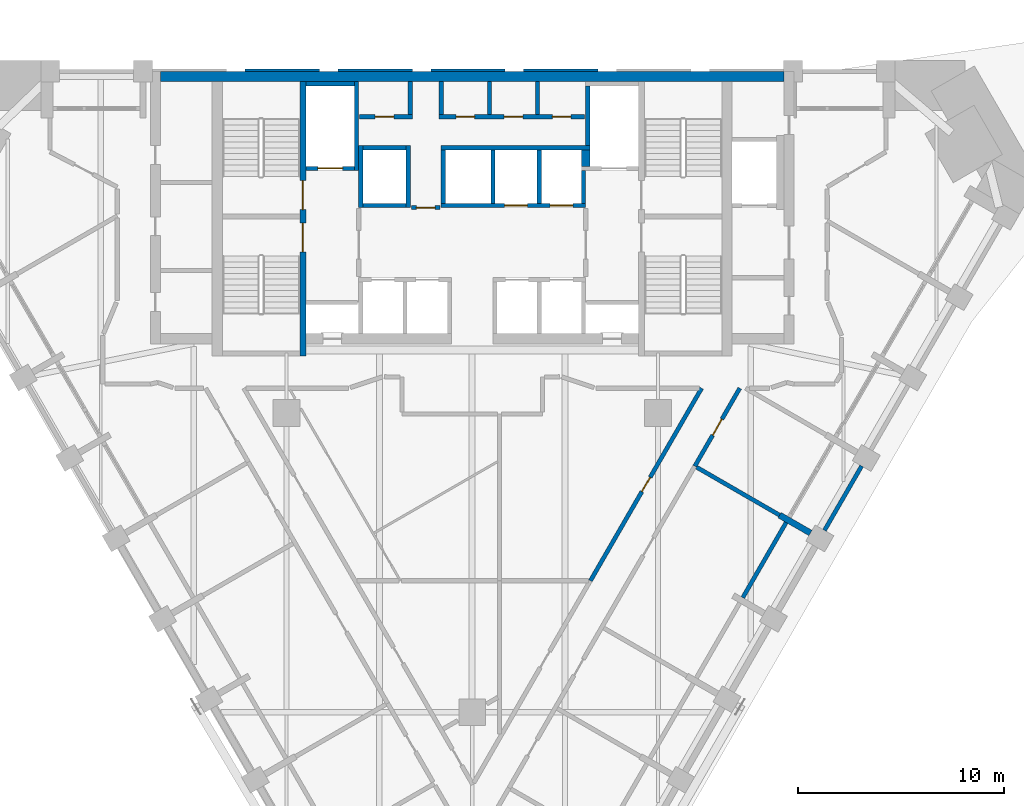
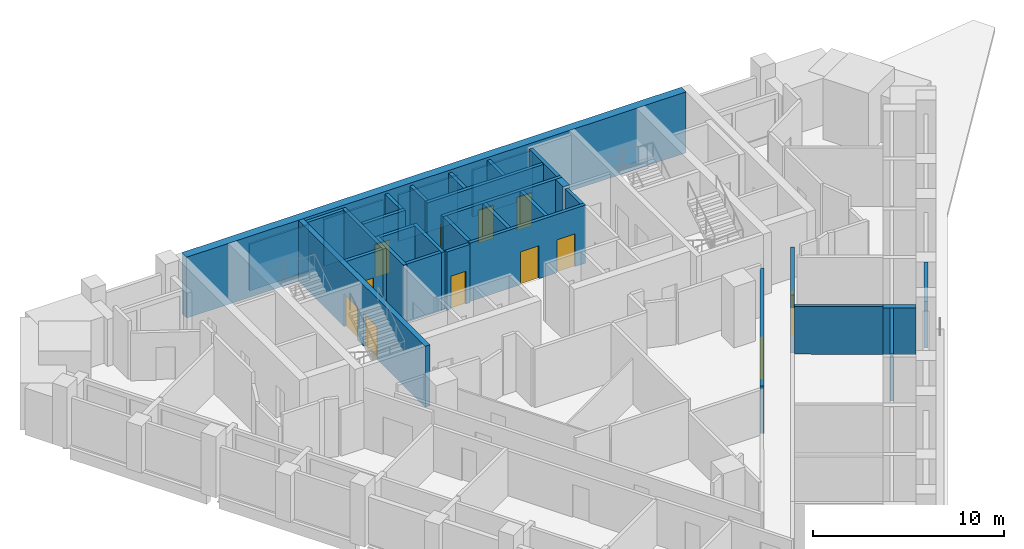
# One storey, part 6 of 10: 34 walls, 12 doors, 12 openings.
"""IFC4 building model written with IfcOpenShell, lengths in metres."""

from ifc_helpers import new_model, si_unit, direction, frame, frame_2d, origin, place, context, subcontext, project, spatial, polyline, rectangle, outline, extrude, material, layer, layer_set, type_object, element, fill, save


model = new_model("IFC4")

# Units and contexts
model_context = context("Model", 3, precision=1e-05, world=origin(), true_north=direction((0.0, 1.0)))
body_context = subcontext(model_context, "Body", "Model", "MODEL_VIEW")
ifc_project = project(units=[si_unit("LENGTHUNIT", "METRE"), si_unit("AREAUNIT", "SQUARE_METRE"), si_unit("VOLUMEUNIT", "CUBIC_METRE"), si_unit("PLANEANGLEUNIT", "RADIAN"), si_unit("MASSUNIT", "GRAM", prefix="KILO")], contexts=[model_context])

# Site, building, storey
site_placement = place(None, origin())
site = spatial("IfcSite", under=ifc_project, at=site_placement, CompositionType="ELEMENT")
building_placement = place(site_placement, origin())
building = spatial("IfcBuilding", under=site, at=building_placement, Name="Calabash Gate Tower", CompositionType="ELEMENT")
storey_placement = place(building_placement, frame((0.0, 0.0, 144.60009765625)))
storey = spatial("IfcBuildingStorey", under=building, at=storey_placement, Name="L33", CompositionType="ELEMENT", Elevation=144.60009765625)

# Walls
ifc_material_1 = material(Name="Terracotta brick masonry, exposed face", Category="masonry")
ifc_layer_1 = layer(ifc_material_1, 0.300048828125)
ifc_layer_set_1 = layer_set([ifc_layer_1], Name="Brick loggia cheek wall 300")
wall_type_1 = type_object("IfcWallType", Name="Brick loggia cheek wall 300", PredefinedType="SOLIDWALL", material=ifc_layer_set_1)
wall_1_placement = place(storey_placement, frame((16.390869140625, -3.31591796875, 0.0), z_axis=(0.0, 0.0, 1.0), x_axis=(-0.866013532718, 0.500020560727, 0.0)))
element("IfcWall", 1, at=wall_1_placement, inside=storey, type_object=wall_type_1, Name="Loggia cheek S09 SE4.4", PredefinedType="SOLIDWALL", context=body_context, shape_type="SweptSolid", body=[
    extrude(rectangle(XDim=1.72509765625, YDim=0.300048828125, at=frame_2d((0.862548828125, 0.0))), origin(), (0.0, 0.0, 1.0), 3.0),
])
ifc_material_2 = material(Name="Gypsum board on steel studs, mineral wool", Category="steel")
ifc_layer_2 = layer(ifc_material_2, 0.199951171875)
ifc_layer_set_2 = layer_set([ifc_layer_2], Name="Core partition 200 gypsum board")
wall_type_2 = type_object("IfcWallType", Name="Core partition 200 gypsum board", PredefinedType="PARTITIONING", material=ifc_layer_set_2)
for number, where, z_axis, x_axis, name in (
    (2, (-3.0, 16.95263671875, 0.0), (0.0, 0.0, 1.0), (0.0, 1.0, 0.0), "Core partition"),
    (3, (-1.5, 16.95263671875, 0.0), (0.0, 0.0, 1.0), (0.0, 1.0, 0.0), "Core partition"),
    (4, (0.833251953125, 16.95263671875, 0.0), (0.0, 0.0, 1.0), (0.0, 1.0, 0.0), "Core partition"),
    (5, (3.166748046875, 16.95263671875, 0.0), (0.0, 0.0, 1.0), (0.0, 1.0, 0.0), "Core partition"),
):
    element("IfcWall", number, at=place(storey_placement, frame(where, z_axis=z_axis, x_axis=x_axis)), inside=storey, type_object=wall_type_2, Name=name, PredefinedType="PARTITIONING", context=body_context, shape_type="SweptSolid", body=[
        extrude(rectangle(XDim=1.599853515625, YDim=0.199951171875, at=frame_2d((0.7998046875, 0.0))), origin(), (0.0, 0.0, 1.0), 3.72998046875),
    ])

# Wall, openings, doors
ifc_material_3 = material(Name="Concrete C70/85", Category="concrete")
ifc_layer_3 = layer(ifc_material_3, 0.300048828125)
ifc_layer_set_3 = layer_set([ifc_layer_3], Name="Core wall 300 Concrete C70/85")
wall_type_3 = type_object("IfcWallType", Name="Core wall 300 Concrete C70/85", PredefinedType="SHEAR", material=ifc_layer_set_3)
wall_2_placement = place(storey_placement, frame((-8.199951171875, 5.252685546875, 0.0), z_axis=(0.0, 0.0, 1.0), x_axis=(0.0, 1.0, 0.0)))
wall_2 = element("IfcWall", 6, at=wall_2_placement, inside=storey, type_object=wall_type_3, Name="Core wall Z3-PARTW L33", PredefinedType="SHEAR", context=body_context, shape_type="SweptSolid", body=[
    extrude(rectangle(XDim=13.2998046875, YDim=0.300048828125, at=frame_2d((6.64990234375, 0.0))), origin(), (0.0, 0.0, 1.0), 3.89990234375),
])
opening_1_placement = place(wall_2_placement, frame((7.10009765625, 0.0, 0.0)))
opening_1 = element("IfcOpeningElement", 7, at=opening_1_placement, cuts=wall_2, Name="Opening O1-016", PredefinedType="OPENING", context=body_context, shape_type="SweptSolid", body=[
    extrude(rectangle(XDim=1.39990234375, YDim=2.10009765625, at=frame_2d((0.699951171875, 1.050048828125))), frame((0.0, 0.159912109375, 0.0), z_axis=(0.0, -1.0, 0.0), x_axis=(1.0, 0.0, 0.0)), (0.0, 0.0, 1.0), 0.320068359375),
])
opening_2_placement = place(wall_2_placement, frame((5.050048828125, 0.0, 0.0)))
opening_2 = element("IfcOpeningElement", 8, at=opening_2_placement, cuts=wall_2, Name="Opening O1-017", PredefinedType="OPENING", context=body_context, shape_type="SweptSolid", body=[
    extrude(rectangle(XDim=1.39990234375, YDim=2.10009765625, at=frame_2d((0.699951171875, 1.050048828125))), frame((0.0, 0.159912109375, 0.0), z_axis=(0.0, -1.0, 0.0), x_axis=(1.0, 0.0, 0.0)), (0.0, 0.0, 1.0), 0.320068359375),
])
ifc_material_4 = material(Name="Steel fire door set with fire-resisting glazing", Category="steel")
door_type_1 = type_object("IfcDoorType", Name="Fire door D05 1400x2100 FD90", OperationType="NOTDEFINED", PredefinedType="DOOR", material=ifc_material_4)
door_1_placement = place(opening_1_placement, origin())
door_1 = element("IfcDoor", 9, at=door_1_placement, inside=storey, type_object=door_type_1, Name="Exit stair door ST1", OperationType="SINGLE_SWING_LEFT", OverallHeight=2.10009765625, OverallWidth=1.39990234375, PredefinedType="DOOR", context=body_context, shape_type="SweptSolid", body=[
    extrude(rectangle(XDim=1.39990234375, YDim=2.10009765625, at=frame_2d((0.699951171875, 1.050048828125))), frame((0.0, 0.02490234375, 0.0), z_axis=(0.0, -1.0, 0.0), x_axis=(1.0, 0.0, 0.0)), (0.0, 0.0, 1.0), 0.050048828125),
])
fill(opening_1, door_1)
door_2_placement = place(opening_2_placement, origin())
door_2 = element("IfcDoor", 10, at=door_2_placement, inside=storey, type_object=door_type_1, Name="Exit stair door ST2", OperationType="SINGLE_SWING_LEFT", OverallHeight=2.10009765625, OverallWidth=1.39990234375, PredefinedType="DOOR", context=body_context, shape_type="SweptSolid", body=[
    extrude(rectangle(XDim=1.39990234375, YDim=2.10009765625, at=frame_2d((0.699951171875, 1.050048828125))), frame((0.0, 0.02490234375, 0.0), z_axis=(0.0, -1.0, 0.0), x_axis=(1.0, 0.0, 0.0)), (0.0, 0.0, 1.0), 0.050048828125),
])
fill(opening_2, door_2)

# Wall
ifc_material_5 = material(Name="Concrete C70/85", Category="concrete")
ifc_layer_4 = layer(ifc_material_5, 0.5)
ifc_layer_set_4 = layer_set([ifc_layer_4], Name="Core wall 500 Concrete C70/85")
wall_type_4 = type_object("IfcWallType", Name="Core wall 500 Concrete C70/85", PredefinedType="SHEAR", material=ifc_layer_set_4)
wall_3_placement = place(storey_placement, frame((-15.10009765625, 18.802490234375, 0.0), z_axis=(0.0, 0.0, 1.0), x_axis=(1.0, 0.0, 0.0)))
element("IfcWall", 11, at=wall_3_placement, inside=storey, type_object=wall_type_4, Name="Core wall Z3-N L33", PredefinedType="SHEAR", context=body_context, shape_type="SweptSolid", body=[
    extrude(rectangle(XDim=30.2001953125, YDim=0.5, at=frame_2d((15.10009765625, 0.0))), origin(), (0.0, 0.0, 1.0), 3.89990234375),
])

# Wall, opening, door
ifc_material_6 = material(Name="Gypsum board on steel studs, mineral wool", Category="steel")
ifc_layer_5 = layer(ifc_material_6, 0.199951171875)
ifc_layer_set_5 = layer_set([ifc_layer_5], Name="Partition 200 gypsum board EI 60")
wall_type_5 = type_object("IfcWallType", Name="Partition 200 gypsum board EI 60", PredefinedType="PARTITIONING", material=ifc_layer_set_5)
wall_4_placement = place(storey_placement, frame((5.72900390625, -5.62890625, 0.0), z_axis=(0.0, 0.0, 1.0), x_axis=(0.500143553768, 0.865942507113, 0.0)))
wall_4 = element("IfcWall", 12, at=wall_4_placement, inside=storey, type_object=wall_type_5, Name="Partition", PredefinedType="PARTITIONING", context=body_context, shape_type="SweptSolid", body=[
    extrude(rectangle(XDim=10.772705078125, YDim=0.199951171875, at=frame_2d((5.38623046875, 0.0))), origin(), (0.0, 0.0, 1.0), 3.0517578125),
])
opening_3_placement = place(wall_4_placement, frame((4.987060546875, 0.0, 0.0)))
opening_3 = element("IfcOpeningElement", 13, at=opening_3_placement, cuts=wall_4, Name="Opening 33-35-008", PredefinedType="OPENING", context=body_context, shape_type="SweptSolid", body=[
    extrude(rectangle(XDim=0.800048828125, YDim=2.10009765625, at=frame_2d((0.39990234375, 1.050048828125))), frame((0.0, 0.10986328125, 0.0), z_axis=(0.0, -1.0, 0.0), x_axis=(1.0, 0.0, 0.0)), (0.0, 0.0, 1.0), 0.219970703125),
])
ifc_material_7 = material(Name="Steel fire door set with fire-resisting glazing", Category="steel")
door_type_2 = type_object("IfcDoorType", Name="SD2 Riser access door 800x2100", OperationType="NOTDEFINED", PredefinedType="DOOR", material=ifc_material_7)
door_3_placement = place(opening_3_placement, origin())
door_3 = element("IfcDoor", 14, at=door_3_placement, inside=storey, type_object=door_type_2, Name="Riser access door", OperationType="SINGLE_SWING_RIGHT", OverallHeight=2.10009765625, OverallWidth=0.800048828125, PredefinedType="DOOR", context=body_context, shape_type="SweptSolid", body=[
    extrude(rectangle(XDim=0.800048828125, YDim=2.10009765625, at=frame_2d((0.39990234375, 1.050048828125))), frame((0.0, 0.02490234375, 0.0), z_axis=(0.0, -1.0, 0.0), x_axis=(1.0, 0.0, 0.0)), (0.0, 0.0, 1.0), 0.050048828125),
])
fill(opening_3, door_3)

# Wall
wall_5_placement = place(storey_placement, frame((10.87255859375, -0.127685546875, 0.0), z_axis=(0.0, 0.0, 1.0), x_axis=(0.86585748916, -0.500290723946, 0.0)))
element("IfcWall", 15, at=wall_5_placement, inside=storey, type_object=wall_type_5, Name="Partition", PredefinedType="PARTITIONING", context=body_context, shape_type="SweptSolid", body=[
    extrude(rectangle(XDim=4.648193359375, YDim=0.199951171875, at=frame_2d((2.32421875, 0.0))), origin(), (0.0, 0.0, 1.0), 3.0517578125),
])

# Wall, opening, door
wall_6_placement = place(storey_placement, frame((10.7861328125, -0.07763671875, 0.0), z_axis=(0.0, 0.0, 1.0), x_axis=(0.499631976044, 0.866237778277, 0.0)))
wall_6 = element("IfcWall", 16, at=wall_6_placement, inside=storey, type_object=wall_type_5, Name="Partition", PredefinedType="PARTITIONING", context=body_context, shape_type="SweptSolid", body=[
    extrude(rectangle(XDim=4.360595703125, YDim=0.199951171875, at=frame_2d((2.18017578125, 0.0))), origin(), (0.0, 0.0, 1.0), 3.72998046875),
])
opening_4_placement = place(wall_6_placement, frame((1.7294921875, 0.0, 0.0)))
opening_4 = element("IfcOpeningElement", 17, at=opening_4_placement, cuts=wall_6, Name="Opening 33-35-007", PredefinedType="OPENING", context=body_context, shape_type="SweptSolid", body=[
    extrude(rectangle(XDim=0.89990234375, YDim=2.10009765625, at=frame_2d((0.449951171875, 1.050048828125))), frame((0.0, 0.10986328125, 0.0), z_axis=(0.0, -1.0, 0.0), x_axis=(1.0, 0.0, 0.0)), (0.0, 0.0, 1.0), 0.219970703125),
])
ifc_material_8 = material(Name="Steel fire door set with fire-resisting glazing", Category="steel")
door_type_3 = type_object("IfcDoorType", Name="SD3 Store door 900x2100", OperationType="NOTDEFINED", PredefinedType="DOOR", material=ifc_material_8)
door_4_placement = place(opening_4_placement, origin())
door_4 = element("IfcDoor", 18, at=door_4_placement, inside=storey, type_object=door_type_3, Name="Store door", OperationType="SINGLE_SWING_RIGHT", OverallHeight=2.10009765625, OverallWidth=0.89990234375, PredefinedType="DOOR", context=body_context, shape_type="SweptSolid", body=[
    extrude(rectangle(XDim=0.89990234375, YDim=2.10009765625, at=frame_2d((0.449951171875, 1.050048828125))), frame((0.0, 0.02490234375, 0.0), z_axis=(0.0, -1.0, 0.0), x_axis=(1.0, 0.0, 0.0)), (0.0, 0.0, 1.0), 0.050048828125),
])
fill(opening_4, door_4)

ifc_material_9 = material(Name="Concrete C40/50", Category="concrete")
ifc_layer_6 = layer(ifc_material_9, 0.199951171875)
ifc_layer_set_6 = layer_set([ifc_layer_6], Name="Shaft wall 200 Concrete C40/50")
wall_type_6 = type_object("IfcWallType", Name="Shaft wall 200 Concrete C40/50", PredefinedType="SOLIDWALL", material=ifc_layer_set_6)
wall_7_placement = place(storey_placement, frame((-2.949951171875, 12.45263671875, 0.0), z_axis=(0.0, 0.0, 1.0), x_axis=(1.0, 0.0, 0.0)))
wall_7 = element("IfcWall", 19, at=wall_7_placement, inside=storey, type_object=wall_type_6, Name="Shaft wall", PredefinedType="SOLIDWALL", context=body_context, shape_type="SweptSolid", body=[
    extrude(rectangle(XDim=1.39990234375, YDim=0.199951171875, at=frame_2d((0.699951171875, 0.0))), origin(), (0.0, 0.0, 1.0), 3.72998046875),
])
opening_5_placement = place(wall_7_placement, frame((0.25, 0.0, 0.0)))
opening_5 = element("IfcOpeningElement", 20, at=opening_5_placement, cuts=wall_7, Name="Opening O1-007", PredefinedType="OPENING", context=body_context, shape_type="SweptSolid", body=[
    extrude(rectangle(XDim=0.89990234375, YDim=2.10009765625, at=frame_2d((0.449951171875, 1.050048828125))), frame((0.0, 0.10986328125, 0.0), z_axis=(0.0, -1.0, 0.0), x_axis=(1.0, 0.0, 0.0)), (0.0, 0.0, 1.0), 0.219970703125),
])
ifc_material_10 = material(Name="Steel fire door set with fire-resisting glazing", Category="steel")
door_type_4 = type_object("IfcDoorType", Name="Fire door D06 900x2100 FD60", OperationType="NOTDEFINED", PredefinedType="DOOR", material=ifc_material_10)
door_5_placement = place(opening_5_placement, origin())
door_5 = element("IfcDoor", 21, at=door_5_placement, inside=storey, type_object=door_type_4, Name="Service Corridor door", OperationType="SINGLE_SWING_RIGHT", OverallHeight=2.10009765625, OverallWidth=0.89990234375, PredefinedType="DOOR", context=body_context, shape_type="SweptSolid", body=[
    extrude(rectangle(XDim=0.89990234375, YDim=2.10009765625, at=frame_2d((0.449951171875, 1.050048828125))), frame((0.0, 0.02490234375, 0.0), z_axis=(0.0, -1.0, 0.0), x_axis=(1.0, 0.0, 0.0)), (0.0, 0.0, 1.0), 0.050048828125),
])
fill(opening_5, door_5)

# Walls
wall_8_placement = place(storey_placement, frame((-5.39990234375, 12.45263671875, 0.0), z_axis=(0.0, 0.0, 1.0), x_axis=(0.0, 1.0, 0.0)))
element("IfcWall", 22, at=wall_8_placement, inside=storey, type_object=wall_type_6, Name="Shaft wall", PredefinedType="SOLIDWALL", context=body_context, shape_type="SweptSolid", body=[
    extrude(rectangle(XDim=3.0, YDim=0.199951171875, at=frame_2d((1.5, 0.0))), origin(), (0.0, 0.0, 1.0), 3.72998046875),
])
wall_9_placement = place(storey_placement, frame((-5.300048828125, 12.552490234375, 0.0), z_axis=(0.0, 0.0, 1.0), x_axis=(1.0, 0.0, 0.0)))
element("IfcWall", 23, at=wall_9_placement, inside=storey, type_object=wall_type_6, Name="Shaft wall", PredefinedType="SOLIDWALL", context=body_context, shape_type="SweptSolid", body=[
    extrude(rectangle(XDim=2.10009765625, YDim=0.199951171875, at=frame_2d((1.050048828125, 0.0))), origin(), (0.0, 0.0, 1.0), 3.72998046875),
])
wall_10_placement = place(storey_placement, frame((-3.10009765625, 12.45263671875, 0.0), z_axis=(0.0, 0.0, 1.0), x_axis=(0.0, 1.0, 0.0)))
element("IfcWall", 24, at=wall_10_placement, inside=storey, type_object=wall_type_6, Name="Shaft wall", PredefinedType="SOLIDWALL", context=body_context, shape_type="SweptSolid", body=[
    extrude(rectangle(XDim=3.0, YDim=0.199951171875, at=frame_2d((1.5, 0.0))), origin(), (0.0, 0.0, 1.0), 3.72998046875),
])

# Wall, openings, doors
wall_11_placement = place(storey_placement, frame((-1.5, 12.552490234375, 0.0), z_axis=(0.0, 0.0, 1.0), x_axis=(1.0, 0.0, 0.0)))
wall_11 = element("IfcWall", 25, at=wall_11_placement, inside=storey, type_object=wall_type_6, Name="Shaft wall", PredefinedType="SOLIDWALL", context=body_context, shape_type="SweptSolid", body=[
    extrude(rectangle(XDim=7.0, YDim=0.199951171875, at=frame_2d((3.5, 0.0))), origin(), (0.0, 0.0, 1.0), 3.72998046875),
])
opening_6_placement = place(wall_11_placement, frame((3.074951171875, 0.0, 0.0)))
opening_6 = element("IfcOpeningElement", 26, at=opening_6_placement, cuts=wall_11, Name="Opening LD-HR5", PredefinedType="OPENING", context=body_context, shape_type="SweptSolid", body=[
    extrude(rectangle(XDim=1.10009765625, YDim=2.10009765625, at=frame_2d((0.550048828125, 1.050048828125))), frame((0.0, 0.10986328125, 0.0), z_axis=(0.0, -1.0, 0.0), x_axis=(1.0, 0.0, 0.0)), (0.0, 0.0, 1.0), 0.219970703125),
])
opening_7_placement = place(wall_11_placement, frame((5.27490234375, 0.0, 0.0)))
opening_7 = element("IfcOpeningElement", 27, at=opening_7_placement, cuts=wall_11, Name="Opening LD-HR6", PredefinedType="OPENING", context=body_context, shape_type="SweptSolid", body=[
    extrude(rectangle(XDim=1.10009765625, YDim=2.10009765625, at=frame_2d((0.550048828125, 1.050048828125))), frame((0.0, 0.10986328125, 0.0), z_axis=(0.0, -1.0, 0.0), x_axis=(1.0, 0.0, 0.0)), (0.0, 0.0, 1.0), 0.219970703125),
])
ifc_material_11 = material(Name="Stainless steel sliding door leaves", Category="steel")
door_type_5 = type_object("IfcDoorType", Name="Lift landing door LS1 1100x2100 FD90", OperationType="DOUBLE_DOOR_SLIDING", PredefinedType="DOOR", material=ifc_material_11)
door_6_placement = place(opening_6_placement, origin())
door_6 = element("IfcDoor", 28, at=door_6_placement, inside=storey, type_object=door_type_5, Name="Lift landing door HR5", OperationType="DOUBLE_DOOR_SLIDING", OverallHeight=2.10009765625, OverallWidth=1.10009765625, PredefinedType="DOOR", context=body_context, shape_type="SweptSolid", body=[
    extrude(rectangle(XDim=1.10009765625, YDim=2.10009765625, at=frame_2d((0.550048828125, 1.050048828125))), frame((0.0, 0.02490234375, 0.0), z_axis=(0.0, -1.0, 0.0), x_axis=(1.0, 0.0, 0.0)), (0.0, 0.0, 1.0), 0.050048828125),
])
fill(opening_6, door_6)
door_7_placement = place(opening_7_placement, origin())
door_7 = element("IfcDoor", 29, at=door_7_placement, inside=storey, type_object=door_type_5, Name="Lift landing door HR6", OperationType="DOUBLE_DOOR_SLIDING", OverallHeight=2.10009765625, OverallWidth=1.10009765625, PredefinedType="DOOR", context=body_context, shape_type="SweptSolid", body=[
    extrude(rectangle(XDim=1.10009765625, YDim=2.10009765625, at=frame_2d((0.550048828125, 1.050048828125))), frame((0.0, 0.02490234375, 0.0), z_axis=(0.0, -1.0, 0.0), x_axis=(1.0, 0.0, 0.0)), (0.0, 0.0, 1.0), 0.050048828125),
])
fill(opening_7, door_7)

# Walls
for number, where, z_axis, x_axis, name in (
    (30, (-1.39990234375, 12.652587890625, 0.0), (0.0, 0.0, 1.0), (0.0, 1.0, 0.0), "Shaft wall"),
    (31, (1.0, 12.652587890625, 0.0), (0.0, 0.0, 1.0), (0.0, 1.0, 0.0), "Shaft wall"),
    (32, (3.25, 12.652587890625, 0.0), (0.0, 0.0, 1.0), (0.0, 1.0, 0.0), "Shaft wall"),
):
    element("IfcWall", number, at=place(storey_placement, frame(where, z_axis=z_axis, x_axis=x_axis)), inside=storey, type_object=wall_type_6, Name=name, PredefinedType="SOLIDWALL", context=body_context, shape_type="SweptSolid", body=[
        extrude(rectangle(XDim=2.60009765625, YDim=0.199951171875, at=frame_2d((1.300048828125, 0.0))), origin(), (0.0, 0.0, 1.0), 3.72998046875),
    ])
wall_12_placement = place(storey_placement, frame((5.39990234375, 12.652587890625, 0.0), z_axis=(0.0, 0.0, 1.0), x_axis=(0.0, 1.0, 0.0)))
element("IfcWall", 33, at=wall_12_placement, inside=storey, type_object=wall_type_6, Name="Shaft wall", PredefinedType="SOLIDWALL", context=body_context, shape_type="SweptSolid", body=[
    extrude(rectangle(XDim=1.60009765625, YDim=0.199951171875, at=frame_2d((0.800048828125, 0.0))), origin(), (0.0, 0.0, 1.0), 3.72998046875),
])

# Wall, opening, door
wall_13_placement = place(storey_placement, frame((-8.050048828125, 14.3525390625, 0.0), z_axis=(0.0, 0.0, 1.0), x_axis=(1.0, 0.0, 0.0)))
wall_13 = element("IfcWall", 34, at=wall_13_placement, inside=storey, type_object=wall_type_6, Name="Shaft wall", PredefinedType="SOLIDWALL", context=body_context, shape_type="SweptSolid", body=[
    extrude(rectangle(XDim=2.35009765625, YDim=0.199951171875, at=frame_2d((1.175048828125, 0.0))), origin(), (0.0, 0.0, 1.0), 3.72998046875),
])
opening_8_placement = place(wall_13_placement, frame((0.574951171875, 0.0, 0.0)))
opening_8 = element("IfcOpeningElement", 35, at=opening_8_placement, cuts=wall_13, Name="Opening LD-FF1", PredefinedType="OPENING", context=body_context, shape_type="SweptSolid", body=[
    extrude(rectangle(XDim=1.199951171875, YDim=2.10009765625, at=frame_2d((0.60009765625, 1.050048828125))), frame((0.0, 0.10986328125, 0.0), z_axis=(0.0, -1.0, 0.0), x_axis=(1.0, 0.0, 0.0)), (0.0, 0.0, 1.0), 0.219970703125),
])
ifc_material_12 = material(Name="Stainless steel sliding door leaves", Category="steel")
door_type_6 = type_object("IfcDoorType", Name="Lift landing door LS3 1200x2100 FD90", OperationType="DOUBLE_DOOR_SLIDING", PredefinedType="DOOR", material=ifc_material_12)
door_8_placement = place(opening_8_placement, origin())
door_8 = element("IfcDoor", 36, at=door_8_placement, inside=storey, type_object=door_type_6, Name="Lift landing door FF1", OperationType="DOUBLE_DOOR_SLIDING", OverallHeight=2.10009765625, OverallWidth=1.199951171875, PredefinedType="DOOR", context=body_context, shape_type="SweptSolid", body=[
    extrude(rectangle(XDim=1.199951171875, YDim=2.10009765625, at=frame_2d((0.60009765625, 1.050048828125))), frame((0.0, 0.02490234375, 0.0), z_axis=(0.0, -1.0, 0.0), x_axis=(1.0, 0.0, 0.0)), (0.0, 0.0, 1.0), 0.050048828125),
])
fill(opening_8, door_8)

# Walls
wall_14_placement = place(storey_placement, frame((-5.60009765625, 14.252685546875, 0.0), z_axis=(0.0, 0.0, 1.0), x_axis=(0.0, 1.0, 0.0)))
element("IfcWall", 37, at=wall_14_placement, inside=storey, type_object=wall_type_6, Name="Shaft wall", PredefinedType="SOLIDWALL", context=body_context, shape_type="SweptSolid", body=[
    extrude(rectangle(XDim=4.2998046875, YDim=0.199951171875, at=frame_2d((2.14990234375, 0.0))), origin(), (0.0, 0.0, 1.0), 3.72998046875),
])
wall_15_placement = place(storey_placement, frame((5.5, 14.45263671875, 0.0), z_axis=(0.0, 0.0, 1.0), x_axis=(0.0, 1.0, 0.0)))
element("IfcWall", 38, at=wall_15_placement, inside=storey, type_object=wall_type_6, Name="Shaft wall", PredefinedType="SOLIDWALL", context=body_context, shape_type="SweptSolid", body=[
    extrude(rectangle(XDim=0.800048828125, YDim=0.39990234375, at=frame_2d((0.39990234375, 0.0))), origin(), (0.0, 0.0, 1.0), 3.72998046875),
])
wall_16_placement = place(storey_placement, frame((-5.300048828125, 15.3525390625, 0.0), z_axis=(0.0, 0.0, 1.0), x_axis=(1.0, 0.0, 0.0)))
element("IfcWall", 39, at=wall_16_placement, inside=storey, type_object=wall_type_6, Name="Shaft wall", PredefinedType="SOLIDWALL", context=body_context, shape_type="SweptSolid", body=[
    extrude(rectangle(XDim=2.10009765625, YDim=0.199951171875, at=frame_2d((1.050048828125, 0.0))), origin(), (0.0, 0.0, 1.0), 3.72998046875),
])
wall_17_placement = place(storey_placement, frame((-1.5, 15.3525390625, 0.0), z_axis=(0.0, 0.0, 1.0), x_axis=(1.0, 0.0, 0.0)))
element("IfcWall", 40, at=wall_17_placement, inside=storey, type_object=wall_type_6, Name="Shaft wall", PredefinedType="SOLIDWALL", context=body_context, shape_type="SweptSolid", body=[
    extrude(rectangle(XDim=7.199951171875, YDim=0.199951171875, at=frame_2d((3.60009765625, 0.0))), origin(), (0.0, 0.0, 1.0), 3.72998046875),
])
wall_18_placement = place(storey_placement, frame((5.60009765625, 15.45263671875, 0.0), z_axis=(0.0, 0.0, 1.0), x_axis=(0.0, 1.0, 0.0)))
element("IfcWall", 41, at=wall_18_placement, inside=storey, type_object=wall_type_6, Name="Shaft wall", PredefinedType="SOLIDWALL", context=body_context, shape_type="SweptSolid", body=[
    extrude(rectangle(XDim=2.89990234375, YDim=0.199951171875, at=frame_2d((1.449951171875, 0.0))), origin(), (0.0, 0.0, 1.0), 3.72998046875),
])

# Wall, opening, door
wall_19_placement = place(storey_placement, frame((-5.449951171875, 16.8525390625, 0.0), z_axis=(0.0, 0.0, 1.0), x_axis=(1.0, 0.0, 0.0)))
wall_19 = element("IfcWall", 42, at=wall_19_placement, inside=storey, type_object=wall_type_6, Name="Shaft wall", PredefinedType="SOLIDWALL", context=body_context, shape_type="SweptSolid", body=[
    extrude(rectangle(XDim=2.550048828125, YDim=0.199951171875, at=frame_2d((1.27490234375, 0.0))), origin(), (0.0, 0.0, 1.0), 3.72998046875),
])
opening_9_placement = place(wall_19_placement, frame((0.75, 0.0, 0.0)))
opening_9 = element("IfcOpeningElement", 43, at=opening_9_placement, cuts=wall_19, Name="Opening O1-010", PredefinedType="OPENING", context=body_context, shape_type="SweptSolid", body=[
    extrude(rectangle(XDim=0.89990234375, YDim=2.10009765625, at=frame_2d((0.449951171875, 1.050048828125))), frame((0.0, 0.10986328125, 0.0), z_axis=(0.0, -1.0, 0.0), x_axis=(1.0, 0.0, 0.0)), (0.0, 0.0, 1.0), 0.219970703125),
])
door_9_placement = place(opening_9_placement, origin())
door_9 = element("IfcDoor", 44, at=door_9_placement, inside=storey, type_object=door_type_4, Name="Accessible WC door", OperationType="SINGLE_SWING_LEFT", OverallHeight=2.10009765625, OverallWidth=0.89990234375, PredefinedType="DOOR", context=body_context, shape_type="SweptSolid", body=[
    extrude(rectangle(XDim=0.89990234375, YDim=2.10009765625, at=frame_2d((0.449951171875, 1.050048828125))), frame((0.0, 0.02490234375, 0.0), z_axis=(0.0, -1.0, 0.0), x_axis=(1.0, 0.0, 0.0)), (0.0, 0.0, 1.0), 0.050048828125),
])
fill(opening_9, door_9)

# Wall, openings, doors
wall_20_placement = place(storey_placement, frame((-1.60009765625, 16.8525390625, 0.0), z_axis=(0.0, 0.0, 1.0), x_axis=(1.0, 0.0, 0.0)))
wall_20 = element("IfcWall", 45, at=wall_20_placement, inside=storey, type_object=wall_type_6, Name="Shaft wall", PredefinedType="SOLIDWALL", context=body_context, shape_type="SweptSolid", body=[
    extrude(rectangle(XDim=7.050048828125, YDim=0.199951171875, at=frame_2d((3.52490234375, 0.0))), origin(), (0.0, 0.0, 1.0), 3.72998046875),
])
opening_10_placement = place(wall_20_placement, frame((0.816650390625, 0.0, 0.0)))
opening_10 = element("IfcOpeningElement", 46, at=opening_10_placement, cuts=wall_20, Name="Opening O1-011", PredefinedType="OPENING", context=body_context, shape_type="SweptSolid", body=[
    extrude(rectangle(XDim=0.89990234375, YDim=2.10009765625, at=frame_2d((0.449951171875, 1.050048828125))), frame((0.0, 0.10986328125, 0.0), z_axis=(0.0, -1.0, 0.0), x_axis=(1.0, 0.0, 0.0)), (0.0, 0.0, 1.0), 0.219970703125),
])
opening_11_placement = place(wall_20_placement, frame((3.14990234375, 0.0, 0.0)))
opening_11 = element("IfcOpeningElement", 47, at=opening_11_placement, cuts=wall_20, Name="Opening O1-012", PredefinedType="OPENING", context=body_context, shape_type="SweptSolid", body=[
    extrude(rectangle(XDim=0.89990234375, YDim=2.10009765625, at=frame_2d((0.449951171875, 1.050048828125))), frame((0.0, 0.10986328125, 0.0), z_axis=(0.0, -1.0, 0.0), x_axis=(1.0, 0.0, 0.0)), (0.0, 0.0, 1.0), 0.219970703125),
])
opening_12_placement = place(wall_20_placement, frame((5.4833984375, 0.0, 0.0)))
opening_12 = element("IfcOpeningElement", 48, at=opening_12_placement, cuts=wall_20, Name="Opening O1-013", PredefinedType="OPENING", context=body_context, shape_type="SweptSolid", body=[
    extrude(rectangle(XDim=0.89990234375, YDim=2.10009765625, at=frame_2d((0.449951171875, 1.050048828125))), frame((0.0, 0.10986328125, 0.0), z_axis=(0.0, -1.0, 0.0), x_axis=(1.0, 0.0, 0.0)), (0.0, 0.0, 1.0), 0.219970703125),
])
door_10_placement = place(opening_10_placement, origin())
door_10 = element("IfcDoor", 49, at=door_10_placement, inside=storey, type_object=door_type_4, Name="Cleaner's Store door", OperationType="SINGLE_SWING_LEFT", OverallHeight=2.10009765625, OverallWidth=0.89990234375, PredefinedType="DOOR", context=body_context, shape_type="SweptSolid", body=[
    extrude(rectangle(XDim=0.89990234375, YDim=2.10009765625, at=frame_2d((0.449951171875, 1.050048828125))), frame((0.0, 0.02490234375, 0.0), z_axis=(0.0, -1.0, 0.0), x_axis=(1.0, 0.0, 0.0)), (0.0, 0.0, 1.0), 0.050048828125),
])
fill(opening_10, door_10)
door_11_placement = place(opening_11_placement, origin())
door_11 = element("IfcDoor", 50, at=door_11_placement, inside=storey, type_object=door_type_4, Name="Tenant Pantry door", OperationType="SINGLE_SWING_LEFT", OverallHeight=2.10009765625, OverallWidth=0.89990234375, PredefinedType="DOOR", context=body_context, shape_type="SweptSolid", body=[
    extrude(rectangle(XDim=0.89990234375, YDim=2.10009765625, at=frame_2d((0.449951171875, 1.050048828125))), frame((0.0, 0.02490234375, 0.0), z_axis=(0.0, -1.0, 0.0), x_axis=(1.0, 0.0, 0.0)), (0.0, 0.0, 1.0), 0.050048828125),
])
fill(opening_11, door_11)
door_12_placement = place(opening_12_placement, origin())
door_12 = element("IfcDoor", 51, at=door_12_placement, inside=storey, type_object=door_type_4, Name="Print Room door", OperationType="SINGLE_SWING_RIGHT", OverallHeight=2.10009765625, OverallWidth=0.89990234375, PredefinedType="DOOR", context=body_context, shape_type="SweptSolid", body=[
    extrude(rectangle(XDim=0.89990234375, YDim=2.10009765625, at=frame_2d((0.449951171875, 1.050048828125))), frame((0.0, 0.02490234375, 0.0), z_axis=(0.0, -1.0, 0.0), x_axis=(1.0, 0.0, 0.0)), (0.0, 0.0, 1.0), 0.050048828125),
])
fill(opening_12, door_12)

# Walls
wall_21_placement = place(storey_placement, frame((-8.050048828125, 18.45263671875, 0.0), z_axis=(0.0, 0.0, 1.0), x_axis=(1.0, 0.0, 0.0)))
element("IfcWall", 52, at=wall_21_placement, inside=storey, type_object=wall_type_6, Name="Shaft wall", PredefinedType="SOLIDWALL", context=body_context, shape_type="SweptSolid", body=[
    extrude(rectangle(XDim=2.35009765625, YDim=0.199951171875, at=frame_2d((1.175048828125, 0.0))), origin(), (0.0, 0.0, 1.0), 3.72998046875),
])
ifc_material_13 = material(Name="Terracotta brick masonry, perforated", Category="masonry")
ifc_layer_7 = layer(ifc_material_13, 0.1201171875)
ifc_layer_set_7 = layer_set([ifc_layer_7], Name="Terracotta jaali cladding A 120")
wall_type_7 = type_object("IfcWallType", Name="Terracotta jaali cladding A 120", PredefinedType="SOLIDWALL", material=ifc_layer_set_7)
wall_22_placement = place(storey_placement, origin())
element("IfcWall", 53, at=wall_22_placement, inside=storey, type_object=wall_type_7, Name="Jaali cladding S09 N6.5", PredefinedType="SOLIDWALL", context=body_context, shape_type="SweptSolid", body=[
    extrude(outline(polyline([(-2.004638671875, 19.172607421875), (-2.004638671875, 19.052490234375), (1.59521484375, 19.052490234375), (1.59521484375, 19.172607421875), (-2.004638671875, 19.172607421875)])), origin(), (0.0, 0.0, 1.0), 3.0),
])
wall_23_placement = place(storey_placement, origin())
element("IfcWall", 54, at=wall_23_placement, inside=storey, type_object=wall_type_7, Name="Jaali cladding S09 N6.7", PredefinedType="SOLIDWALL", context=body_context, shape_type="SweptSolid", body=[
    extrude(outline(polyline([(-11.004638671875, 19.172607421875), (-11.004638671875, 19.052490234375), (-7.40478515625, 19.052490234375), (-7.40478515625, 19.172607421875), (-11.004638671875, 19.172607421875)])), origin(), (0.0, 0.0, 1.0), 3.0),
])
ifc_material_14 = material(Name="Terracotta brick masonry, perforated", Category="masonry")
ifc_layer_8 = layer(ifc_material_14, 0.199951171875)
ifc_layer_set_8 = layer_set([ifc_layer_8], Name="Terracotta jaali screen A")
wall_type_8 = type_object("IfcWallType", Name="Terracotta jaali screen A", PredefinedType="SOLIDWALL", material=ifc_layer_set_8)
wall_24_placement = place(storey_placement, origin())
element("IfcWall", 55, at=wall_24_placement, inside=storey, type_object=wall_type_8, Name="SCREEN A S09 SE4.5", PredefinedType="SOLIDWALL", context=body_context, shape_type="SweptSolid", body=[
    extrude(outline(polyline([(18.783935546875, -0.02099609375), (16.984130859375, -3.13818359375), (17.157470703125, -3.23828125), (18.95703125, -0.120849609375), (18.783935546875, -0.02099609375)])), origin(), (0.0, 0.0, 1.0), 3.0),
])
ifc_material_15 = material(Name="Terracotta louvre blades in an aluminium frame", Category="masonry")
ifc_layer_9 = layer(ifc_material_15, 0.1201171875)
ifc_layer_set_9 = layer_set([ifc_layer_9], Name="Terracotta vent louvre cladding 120")
wall_type_9 = type_object("IfcWallType", Name="Terracotta vent louvre cladding 120", PredefinedType="ELEMENTEDWALL", material=ifc_layer_set_9)
wall_25_placement = place(storey_placement, origin())
element("IfcWall", 56, at=wall_25_placement, inside=storey, type_object=wall_type_9, Name="Vent louvre cladding S09 N6.4", PredefinedType="ELEMENTEDWALL", context=body_context, shape_type="SweptSolid", body=[
    extrude(outline(polyline([(2.495361328125, 19.172607421875), (2.495361328125, 19.052490234375), (6.09521484375, 19.052490234375), (6.09521484375, 19.172607421875), (2.495361328125, 19.172607421875)])), origin(), (0.0, 0.0, 1.0), 3.0),
])
wall_26_placement = place(storey_placement, origin())
element("IfcWall", 57, at=wall_26_placement, inside=storey, type_object=wall_type_9, Name="Vent louvre cladding S09 N6.6", PredefinedType="ELEMENTEDWALL", context=body_context, shape_type="SweptSolid", body=[
    extrude(outline(polyline([(-6.504638671875, 19.172607421875), (-6.504638671875, 19.052490234375), (-2.90478515625, 19.052490234375), (-2.90478515625, 19.172607421875), (-6.504638671875, 19.172607421875)])), origin(), (0.0, 0.0, 1.0), 3.0),
])
ifc_material_16 = material(Name="Aluminium framed window wall with insulated spandrel", Category="aluminium")
ifc_layer_10 = layer(ifc_material_16, 0.199951171875)
ifc_layer_set_10 = layer_set([ifc_layer_10], Name="Window wall 200")
wall_type_10 = type_object("IfcWallType", Name="Window wall 200", PredefinedType="ELEMENTEDWALL", material=ifc_layer_set_10)
wall_27_placement = place(storey_placement, frame((13.111572265625, -6.445556640625, 0.0), z_axis=(0.0, 0.0, 1.0), x_axis=(0.500027713859, 0.866009402589, 0.0)))
element("IfcWall", 58, at=wall_27_placement, inside=storey, type_object=wall_type_10, Name="Window wall S09 SE4.4", PredefinedType="ELEMENTEDWALL", context=body_context, shape_type="SweptSolid", body=[
    extrude(rectangle(XDim=4.199951171875, YDim=0.199951171875, at=frame_2d((2.10009765625, 0.0))), origin(), (0.0, 0.0, 1.0), 3.0),
])

save(model, "model.ifc")
